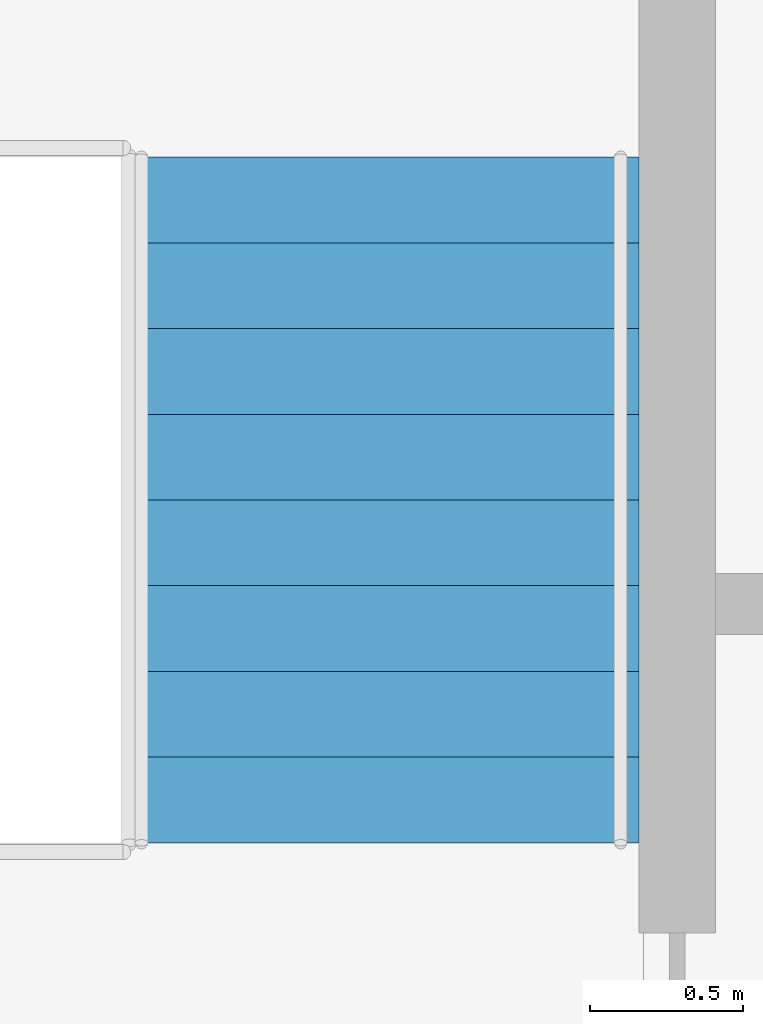
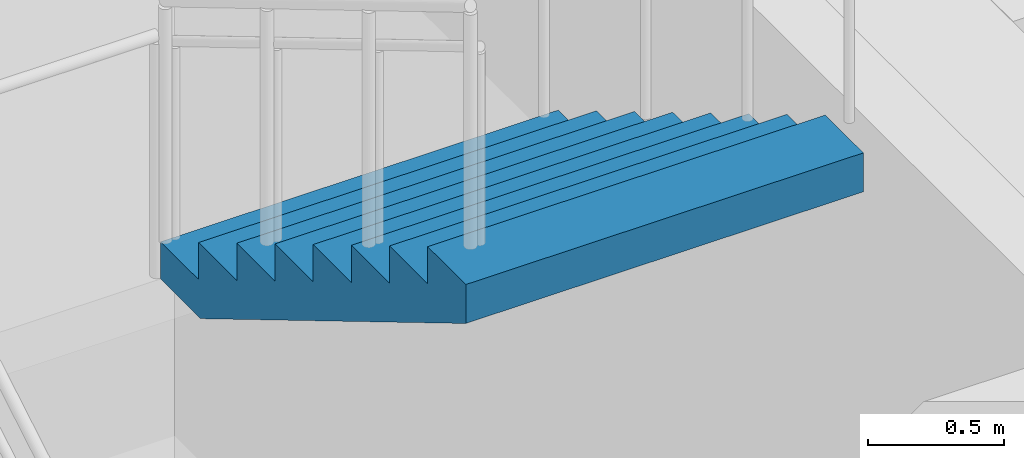
# One storey, part 38 of 57: 1 stair flight, 1 element without a shape of its own.
"""IFC4 building model written with IfcOpenShell, lengths in metres."""

from ifc_helpers import new_model, si_unit, direction, frame, origin, place, context, subcontext, project, spatial, triangles, material, type_object, element, aggregate, save


model = new_model("IFC4")

# Units and contexts
model_context = context("Model", 3, precision=1e-05, world=origin(), true_north=direction((0.0, 1.0)))
body_context = subcontext(model_context, "Body", "Model", "MODEL_VIEW")
ifc_project = project(units=[si_unit("LENGTHUNIT", "METRE"), si_unit("AREAUNIT", "SQUARE_METRE"), si_unit("VOLUMEUNIT", "CUBIC_METRE"), si_unit("PLANEANGLEUNIT", "RADIAN"), si_unit("MASSUNIT", "GRAM", prefix="KILO")], contexts=[model_context])

# Site, building, storey
site_placement = place(None, origin())
site = spatial("IfcSite", under=ifc_project, at=site_placement, CompositionType="ELEMENT")
building_placement = place(site_placement, origin())
building = spatial("IfcBuilding", under=site, at=building_placement, Name="Orbita Commons", CompositionType="ELEMENT")
storey_placement = place(building_placement, origin())
storey = spatial("IfcBuildingStorey", under=building, at=storey_placement, Name="L00", CompositionType="ELEMENT", Elevation=0.0)

# Stair, stair flight
ifc_material_1 = material(Name="Precast concrete C40/50", Category="concrete")
stair_type = type_object("IfcStairType", Name="Podium exit stair 4 flights 9 risers 167", PredefinedType="HALF_TURN_STAIR", material=ifc_material_1)
stair_placement = place(storey_placement, origin())
stair = element("IfcStair", 1, at=stair_placement, inside=storey, type_object=stair_type, Name="Podium exit stair PS2 L00", PredefinedType="HALF_TURN_STAIR")
ifc_material_2 = material(Name="Precast concrete C40/50", Category="concrete")
stair_flight_type = type_object("IfcStairFlightType", Name="Podium stair flight 9 risers 167 x 1685", PredefinedType="STRAIGHT", material=ifc_material_2)
stair_flight_placement = place(storey_placement, frame((76.4326171875, 32.06005859375, 4.5), z_axis=(0.0, 0.0, 1.0), x_axis=(0.0, -1.0, 0.0)))
stair_flight = element("IfcStairFlight", 2, at=stair_flight_placement, type_object=stair_flight_type, Name="PS2 flight 4", NumberOfRisers=9, NumberOfTreads=8, PredefinedType="STRAIGHT", RiserHeight=0.166666667, TreadLength=0.28, context=body_context, shape_type="Tessellation", body=[
    triangles([(0.0, 0.842529, 0.0), (0.0, 0.842529, 0.020833), (0.0, 0.702108, 0.020833), (0.0, 0.702108, 0.0), (0.0, 0.561686, 0.020833), (0.0, 0.561686, 0.0), (0.0, 0.421265, 0.020833), (0.0, 0.421265, 0.0), (0.0, 0.280843, 0.020833), (0.0, 0.280843, 0.0), (0.0, 0.140422, 0.020833), (0.0, 0.140422, 0.0), (0.0, 0.0, 0.020833), (0.0, 0.0, 0.0), (0.0, -0.140422, 0.020833), (0.0, -0.140422, 0.0), (0.0, -0.280843, 0.020833), (0.0, -0.280843, 0.0), (0.0, -0.421265, 0.020833), (0.0, -0.421265, 0.0), (0.0, -0.561686, 0.020833), (0.0, -0.561686, 0.0), (0.0, -0.702108, 0.020833), (0.0, -0.702108, 0.0), (0.0, -0.842529, 0.020833), (0.0, -0.842529, 0.0), (0.0, 0.842529, 0.041667), (0.0, 0.702108, 0.041667), (0.0, 0.561686, 0.041667), (0.0, 0.421265, 0.041667), (0.0, 0.280843, 0.041667), (0.0, 0.140422, 0.041667), (0.0, 0.0, 0.041667), (0.0, -0.140422, 0.041667), (0.0, -0.280843, 0.041667), (0.0, -0.421265, 0.041667), (0.0, -0.561686, 0.041667), (0.0, -0.702108, 0.041667), (0.0, -0.842529, 0.041667), (0.0, 0.842529, 0.0625), (0.0, 0.702108, 0.0625), (0.0, 0.561686, 0.0625), (0.0, 0.421265, 0.0625), (0.0, 0.280843, 0.0625), (0.0, 0.140422, 0.0625), (0.0, 0.0, 0.0625), (0.0, -0.140422, 0.0625), (0.0, -0.280843, 0.0625), (0.0, -0.421265, 0.0625), (0.0, -0.561686, 0.0625), (0.0, -0.702108, 0.0625), (0.0, -0.842529, 0.0625), (0.0, 0.842529, 0.083333), (0.0, 0.702108, 0.083333), (0.0, 0.561686, 0.083333), (0.0, 0.421265, 0.083333), (0.0, 0.280843, 0.083333), (0.0, 0.140422, 0.083333), (0.0, 0.0, 0.083333), (0.0, -0.140422, 0.083333), (0.0, -0.280843, 0.083333), (0.0, -0.421265, 0.083333), (0.0, -0.561686, 0.083333), (0.0, -0.702108, 0.083333), (0.0, -0.842529, 0.083333), (0.0, 0.842529, 0.104167), (0.0, 0.702108, 0.104167), (0.0, 0.561686, 0.104167), (0.0, 0.421265, 0.104167), (0.0, 0.280843, 0.104167), (0.0, 0.140422, 0.104167), (0.0, 0.0, 0.104167), (0.0, -0.140422, 0.104167), (0.0, -0.280843, 0.104167), (0.0, -0.421265, 0.104167), (0.0, -0.561686, 0.104167), (0.0, -0.702108, 0.104167), (0.0, -0.842529, 0.104167), (0.0, 0.842529, 0.125), (0.0, 0.702108, 0.125), (0.0, 0.561686, 0.125), (0.0, 0.421265, 0.125), (0.0, 0.280843, 0.125), (0.0, 0.140422, 0.125), (0.0, 0.0, 0.125), (0.0, -0.140422, 0.125), (0.0, -0.280843, 0.125), (0.0, -0.421265, 0.125), (0.0, -0.561686, 0.125), (0.0, -0.702108, 0.125), (0.0, -0.842529, 0.125), (0.0, 0.842529, 0.145833), (0.0, 0.702108, 0.145833), (0.0, 0.561686, 0.145833), (0.0, 0.421265, 0.145833), (0.0, 0.280843, 0.145833), (0.0, 0.140422, 0.145833), (0.0, 0.0, 0.145833), (0.0, -0.140422, 0.145833), (0.0, -0.280843, 0.145833), (0.0, -0.421265, 0.145833), (0.0, -0.561686, 0.145833), (0.0, -0.702108, 0.145833), (0.0, -0.842529, 0.145833), (0.0, 0.842529, 0.166667), (0.0, 0.702108, 0.166667), (0.0, 0.561686, 0.166667), (0.0, 0.421265, 0.166667), (0.0, 0.280843, 0.166667), (0.0, 0.140422, 0.166667), (0.0, 0.0, 0.166667), (0.0, -0.140422, 0.166667), (0.0, -0.280843, 0.166667), (0.0, -0.421265, 0.166667), (0.0, -0.561686, 0.166667), (0.0, -0.702108, 0.166667), (0.0, -0.842529, 0.166667), (0.28, 0.842529, 0.166667), (0.28, 0.702108, 0.166667), (0.28, 0.561686, 0.166667), (0.28, 0.421265, 0.166667), (0.28, 0.280843, 0.166667), (0.28, 0.140422, 0.166667), (0.28, 0.0, 0.166667), (0.28, -0.140422, 0.166667), (0.28, -0.280843, 0.166667), (0.28, -0.421265, 0.166667), (0.28, -0.561686, 0.166667), (0.28, -0.702108, 0.166667), (0.28, -0.842529, 0.166667), (0.28, 0.842529, 0.333333), (0.28, 0.702108, 0.333333), (0.28, 0.561686, 0.333333), (0.28, 0.421265, 0.333333), (0.28, 0.280843, 0.333333), (0.28, 0.140422, 0.333333), (0.28, 0.0, 0.333333), (0.28, -0.140422, 0.333333), (0.28, -0.280843, 0.333333), (0.28, -0.421265, 0.333333), (0.28, -0.561686, 0.333333), (0.28, -0.702108, 0.333333), (0.28, -0.842529, 0.333333), (0.56, 0.842529, 0.333333), (0.56, 0.702108, 0.333333), (0.56, 0.561686, 0.333333), (0.56, 0.421265, 0.333333), (0.56, 0.280843, 0.333333), (0.56, 0.140422, 0.333333), (0.56, 0.0, 0.333333), (0.56, -0.140422, 0.333333), (0.56, -0.280843, 0.333333), (0.56, -0.421265, 0.333333), (0.56, -0.561686, 0.333333), (0.56, -0.702108, 0.333333), (0.56, -0.842529, 0.333333), (0.56, 0.842529, 0.5), (0.56, 0.702108, 0.5), (0.56, 0.561686, 0.5), (0.56, 0.421265, 0.5), (0.56, 0.280843, 0.5), (0.56, 0.140422, 0.5), (0.56, 0.0, 0.5), (0.56, -0.140422, 0.5), (0.56, -0.280843, 0.5), (0.56, -0.421265, 0.5), (0.56, -0.561686, 0.5), (0.56, -0.702108, 0.5), (0.56, -0.842529, 0.5), (0.84, 0.842529, 0.5), (0.84, 0.702108, 0.5), (0.84, 0.561686, 0.5), (0.84, 0.421265, 0.5), (0.84, 0.280843, 0.5), (0.84, 0.140422, 0.5), (0.84, 0.0, 0.5), (0.84, -0.140422, 0.5), (0.84, -0.280843, 0.5), (0.84, -0.421265, 0.5), (0.84, -0.561686, 0.5), (0.84, -0.702108, 0.5), (0.84, -0.842529, 0.5), (0.84, 0.842529, 0.666667), (0.84, 0.702108, 0.666667), (0.84, 0.561686, 0.666667), (0.84, 0.421265, 0.666667), (0.84, 0.280843, 0.666667), (0.84, 0.140422, 0.666667), (0.84, 0.0, 0.666667), (0.84, -0.140422, 0.666667), (0.84, -0.280843, 0.666667), (0.84, -0.421265, 0.666667), (0.84, -0.561686, 0.666667), (0.84, -0.702108, 0.666667), (0.84, -0.842529, 0.666667), (1.12, 0.842529, 0.666667), (1.12, 0.702108, 0.666667), (1.12, 0.561686, 0.666667), (1.12, 0.421265, 0.666667), (1.12, 0.280843, 0.666667), (1.12, 0.140422, 0.666667), (1.12, 0.0, 0.666667), (1.12, -0.140422, 0.666667), (1.12, -0.280843, 0.666667), (1.12, -0.421265, 0.666667), (1.12, -0.561686, 0.666667), (1.12, -0.702108, 0.666667), (1.12, -0.842529, 0.666667), (1.12, 0.842529, 0.833333), (1.12, 0.702108, 0.833333), (1.12, 0.561686, 0.833333), (1.12, 0.421265, 0.833333), (1.12, 0.280843, 0.833333), (1.12, 0.140422, 0.833333), (1.12, 0.0, 0.833333), (1.12, -0.140422, 0.833333), (1.12, -0.280843, 0.833333), (1.12, -0.421265, 0.833333), (1.12, -0.561686, 0.833333), (1.12, -0.702108, 0.833333), (1.12, -0.842529, 0.833333), (1.4, 0.842529, 0.833333), (1.4, 0.702108, 0.833333), (1.4, 0.561686, 0.833333), (1.4, 0.421265, 0.833333), (1.4, 0.280843, 0.833333), (1.4, 0.140422, 0.833333), (1.4, 0.0, 0.833333), (1.4, -0.140422, 0.833333), (1.4, -0.280843, 0.833333), (1.4, -0.421265, 0.833333), (1.4, -0.561686, 0.833333), (1.4, -0.702108, 0.833333), (1.4, -0.842529, 0.833333), (1.4, 0.842529, 1.0), (1.4, 0.702108, 1.0), (1.4, 0.561686, 1.0), (1.4, 0.421265, 1.0), (1.4, 0.280843, 1.0), (1.4, 0.140422, 1.0), (1.4, 0.0, 1.0), (1.4, -0.140422, 1.0), (1.4, -0.280843, 1.0), (1.4, -0.421265, 1.0), (1.4, -0.561686, 1.0), (1.4, -0.702108, 1.0), (1.4, -0.842529, 1.0), (1.68, 0.842529, 1.0), (1.68, 0.702108, 1.0), (1.68, 0.561686, 1.0), (1.68, 0.421265, 1.0), (1.68, 0.280843, 1.0), (1.68, 0.140422, 1.0), (1.68, 0.0, 1.0), (1.68, -0.140422, 1.0), (1.68, -0.280843, 1.0), (1.68, -0.421265, 1.0), (1.68, -0.561686, 1.0), (1.68, -0.702108, 1.0), (1.68, -0.842529, 1.0), (1.68, 0.842529, 1.166667), (1.68, 0.702108, 1.166667), (1.68, 0.561686, 1.166667), (1.68, 0.421265, 1.166667), (1.68, 0.280843, 1.166667), (1.68, 0.140422, 1.166667), (1.68, 0.0, 1.166667), (1.68, -0.140422, 1.166667), (1.68, -0.280843, 1.166667), (1.68, -0.421265, 1.166667), (1.68, -0.561686, 1.166667), (1.68, -0.702108, 1.166667), (1.68, -0.842529, 1.166667), (1.96, 0.842529, 1.166667), (1.96, 0.702108, 1.166667), (1.96, 0.561686, 1.166667), (1.96, 0.421265, 1.166667), (1.96, 0.280843, 1.166667), (1.96, 0.140422, 1.166667), (1.96, 0.0, 1.166667), (1.96, -0.140422, 1.166667), (1.96, -0.280843, 1.166667), (1.96, -0.421265, 1.166667), (1.96, -0.561686, 1.166667), (1.96, -0.702108, 1.166667), (1.96, -0.842529, 1.166667), (1.96, 0.842529, 1.333333), (1.96, 0.702108, 1.333333), (1.96, 0.561686, 1.333333), (1.96, 0.421265, 1.333333), (1.96, 0.280843, 1.333333), (1.96, 0.140422, 1.333333), (1.96, 0.0, 1.333333), (1.96, -0.140422, 1.333333), (1.96, -0.280843, 1.333333), (1.96, -0.421265, 1.333333), (1.96, -0.561686, 1.333333), (1.96, -0.702108, 1.333333), (1.96, -0.842529, 1.333333), (2.24, 0.842529, 1.333333), (2.24, 0.702108, 1.333333), (2.24, 0.561686, 1.333333), (2.24, 0.421265, 1.333333), (2.24, 0.280843, 1.333333), (2.24, 0.140422, 1.333333), (2.24, 0.0, 1.333333), (2.24, -0.140422, 1.333333), (2.24, -0.280843, 1.333333), (2.24, -0.421265, 1.333333), (2.24, -0.561686, 1.333333), (2.24, -0.702108, 1.333333), (2.24, -0.842529, 1.333333), (2.24, 0.842529, 1.311527), (2.24, 0.702108, 1.311527), (2.24, 0.561686, 1.311527), (2.24, 0.421265, 1.311527), (2.24, 0.280843, 1.311527), (2.24, 0.140422, 1.311527), (2.24, 0.0, 1.311527), (2.24, -0.140422, 1.311527), (2.24, -0.280843, 1.311527), (2.24, -0.421265, 1.311527), (2.24, -0.561686, 1.311527), (2.24, -0.702108, 1.311527), (2.24, -0.842529, 1.311527), (2.24, 0.842529, 1.289721), (2.24, 0.702108, 1.289721), (2.24, 0.561686, 1.289721), (2.24, 0.421265, 1.289721), (2.24, 0.280843, 1.289721), (2.24, 0.140422, 1.289721), (2.24, 0.0, 1.289721), (2.24, -0.140422, 1.289721), (2.24, -0.280843, 1.289721), (2.24, -0.421265, 1.289721), (2.24, -0.561686, 1.289721), (2.24, -0.702108, 1.289721), (2.24, -0.842529, 1.289721), (2.24, 0.842529, 1.267915), (2.24, 0.702108, 1.267915), (2.24, 0.561686, 1.267915), (2.24, 0.421265, 1.267915), (2.24, 0.280843, 1.267915), (2.24, 0.140422, 1.267915), (2.24, 0.0, 1.267915), (2.24, -0.140422, 1.267915), (2.24, -0.280843, 1.267915), (2.24, -0.421265, 1.267915), (2.24, -0.561686, 1.267915), (2.24, -0.702108, 1.267915), (2.24, -0.842529, 1.267915), (2.24, 0.842529, 1.246109), (2.24, 0.702108, 1.246109), (2.24, 0.561686, 1.246109), (2.24, 0.421265, 1.246109), (2.24, 0.280843, 1.246109), (2.24, 0.140422, 1.246109), (2.24, 0.0, 1.246109), (2.24, -0.140422, 1.246109), (2.24, -0.280843, 1.246109), (2.24, -0.421265, 1.246109), (2.24, -0.561686, 1.246109), (2.24, -0.702108, 1.246109), (2.24, -0.842529, 1.246109), (2.24, 0.842529, 1.224303), (2.24, 0.702108, 1.224303), (2.24, 0.561686, 1.224303), (2.24, 0.421265, 1.224303), (2.24, 0.280843, 1.224303), (2.24, 0.140422, 1.224303), (2.24, 0.0, 1.224303), (2.24, -0.140422, 1.224303), (2.24, -0.280843, 1.224303), (2.24, -0.421265, 1.224303), (2.24, -0.561686, 1.224303), (2.24, -0.702108, 1.224303), (2.24, -0.842529, 1.224303), (2.24, 0.842529, 1.202497), (2.24, 0.702108, 1.202497), (2.24, 0.561686, 1.202497), (2.24, 0.421265, 1.202497), (2.24, 0.280843, 1.202497), (2.24, 0.140422, 1.202497), (2.24, 0.0, 1.202497), (2.24, -0.140422, 1.202497), (2.24, -0.280843, 1.202497), (2.24, -0.421265, 1.202497), (2.24, -0.561686, 1.202497), (2.24, -0.702108, 1.202497), (2.24, -0.842529, 1.202497), (2.24, 0.842529, 1.180691), (2.24, 0.702108, 1.180691), (2.24, 0.561686, 1.180691), (2.24, 0.421265, 1.180691), (2.24, 0.280843, 1.180691), (2.24, 0.140422, 1.180691), (2.24, 0.0, 1.180691), (2.24, -0.140422, 1.180691), (2.24, -0.280843, 1.180691), (2.24, -0.421265, 1.180691), (2.24, -0.561686, 1.180691), (2.24, -0.702108, 1.180691), (2.24, -0.842529, 1.180691), (2.24, 0.842529, 1.158885), (2.24, 0.702108, 1.158885), (2.24, 0.561686, 1.158885), (2.24, 0.421265, 1.158885), (2.24, 0.280843, 1.158885), (2.24, 0.140422, 1.158885), (2.24, 0.0, 1.158885), (2.24, -0.140422, 1.158885), (2.24, -0.280843, 1.158885), (2.24, -0.421265, 1.158885), (2.24, -0.561686, 1.158885), (2.24, -0.702108, 1.158885), (2.24, -0.842529, 1.158885), (0.293073, 0.842529, 0.0), (0.293073, 0.702108, 0.0), (0.293073, 0.561686, 0.0), (0.293073, 0.421265, 0.0), (0.293073, 0.280843, 0.0), (0.293073, 0.140422, 0.0), (0.293073, 0.0, 0.0), (0.293073, -0.140422, 0.0), (0.293073, -0.280843, 0.0), (0.293073, -0.421265, 0.0), (0.293073, -0.561686, 0.0), (0.293073, -0.702108, 0.0), (0.293073, -0.842529, 0.0)], [[3, 2, 1], [4, 3, 1], [5, 3, 4], [6, 5, 4], [7, 5, 6], [8, 7, 6], [9, 7, 8], [10, 9, 8], [11, 9, 10], [12, 11, 10], [13, 11, 12], [14, 13, 12], [15, 13, 14], [16, 15, 14], [17, 15, 16], [18, 17, 16], [19, 17, 18], [20, 19, 18], [21, 19, 20], [22, 21, 20], [23, 21, 22], [24, 23, 22], [25, 23, 24], [26, 25, 24], [28, 27, 2], [3, 28, 2], [29, 28, 3], [5, 29, 3], [30, 29, 5], [7, 30, 5], [31, 30, 7], [9, 31, 7], [32, 31, 9], [11, 32, 9], [33, 32, 11], [13, 33, 11], [34, 33, 13], [15, 34, 13], [35, 34, 15], [17, 35, 15], [36, 35, 17], [19, 36, 17], [37, 36, 19], [21, 37, 19], [38, 37, 21], [23, 38, 21], [39, 38, 23], [25, 39, 23], [41, 40, 27], [28, 41, 27], [42, 41, 28], [29, 42, 28], [43, 42, 29], [30, 43, 29], [44, 43, 30], [31, 44, 30], [45, 44, 31], [32, 45, 31], [46, 45, 32], [33, 46, 32], [47, 46, 33], [34, 47, 33], [48, 47, 34], [35, 48, 34], [49, 48, 35], [36, 49, 35], [50, 49, 36], [37, 50, 36], [51, 50, 37], [38, 51, 37], [52, 51, 38], [39, 52, 38], [54, 53, 40], [41, 54, 40], [55, 54, 41], [42, 55, 41], [56, 55, 42], [43, 56, 42], [57, 56, 43], [44, 57, 43], [58, 57, 44], [45, 58, 44], [59, 58, 45], [46, 59, 45], [60, 59, 46], [47, 60, 46], [61, 60, 47], [48, 61, 47], [62, 61, 48], [49, 62, 48], [63, 62, 49], [50, 63, 49], [64, 63, 50], [51, 64, 50], [65, 64, 51], [52, 65, 51], [67, 66, 53], [54, 67, 53], [68, 67, 54], [55, 68, 54], [69, 68, 55], [56, 69, 55], [70, 69, 56], [57, 70, 56], [71, 70, 57], [58, 71, 57], [72, 71, 58], [59, 72, 58], [73, 72, 59], [60, 73, 59], [74, 73, 60], [61, 74, 60], [75, 74, 61], [62, 75, 61], [76, 75, 62], [63, 76, 62], [77, 76, 63], [64, 77, 63], [78, 77, 64], [65, 78, 64], [80, 79, 66], [67, 80, 66], [81, 80, 67], [68, 81, 67], [82, 81, 68], [69, 82, 68], [83, 82, 69], [70, 83, 69], [84, 83, 70], [71, 84, 70], [85, 84, 71], [72, 85, 71], [86, 85, 72], [73, 86, 72], [87, 86, 73], [74, 87, 73], [88, 87, 74], [75, 88, 74], [89, 88, 75], [76, 89, 75], [90, 89, 76], [77, 90, 76], [91, 90, 77], [78, 91, 77], [93, 92, 79], [80, 93, 79], [94, 93, 80], [81, 94, 80], [95, 94, 81], [82, 95, 81], [96, 95, 82], [83, 96, 82], [97, 96, 83], [84, 97, 83], [98, 97, 84], [85, 98, 84], [99, 98, 85], [86, 99, 85], [100, 99, 86], [87, 100, 86], [101, 100, 87], [88, 101, 87], [102, 101, 88], [89, 102, 88], [103, 102, 89], [90, 103, 89], [104, 103, 90], [91, 104, 90], [106, 105, 92], [93, 106, 92], [107, 106, 93], [94, 107, 93], [108, 107, 94], [95, 108, 94], [109, 108, 95], [96, 109, 95], [110, 109, 96], [97, 110, 96], [111, 110, 97], [98, 111, 97], [112, 111, 98], [99, 112, 98], [113, 112, 99], [100, 113, 99], [114, 113, 100], [101, 114, 100], [115, 114, 101], [102, 115, 101], [116, 115, 102], [103, 116, 102], [117, 116, 103], [104, 117, 103], [119, 118, 105], [106, 119, 105], [120, 119, 106], [107, 120, 106], [121, 120, 107], [108, 121, 107], [122, 121, 108], [109, 122, 108], [123, 122, 109], [110, 123, 109], [124, 123, 110], [111, 124, 110], [125, 124, 111], [112, 125, 111], [126, 125, 112], [113, 126, 112], [127, 126, 113], [114, 127, 113], [128, 127, 114], [115, 128, 114], [129, 128, 115], [116, 129, 115], [130, 129, 116], [117, 130, 116], [132, 131, 118], [119, 132, 118], [133, 132, 119], [120, 133, 119], [134, 133, 120], [121, 134, 120], [135, 134, 121], [122, 135, 121], [136, 135, 122], [123, 136, 122], [137, 136, 123], [124, 137, 123], [138, 137, 124], [125, 138, 124], [139, 138, 125], [126, 139, 125], [140, 139, 126], [127, 140, 126], [141, 140, 127], [128, 141, 127], [142, 141, 128], [129, 142, 128], [143, 142, 129], [130, 143, 129], [145, 144, 131], [132, 145, 131], [146, 145, 132], [133, 146, 132], [147, 146, 133], [134, 147, 133], [148, 147, 134], [135, 148, 134], [149, 148, 135], [136, 149, 135], [150, 149, 136], [137, 150, 136], [151, 150, 137], [138, 151, 137], [152, 151, 138], [139, 152, 138], [153, 152, 139], [140, 153, 139], [154, 153, 140], [141, 154, 140], [155, 154, 141], [142, 155, 141], [156, 155, 142], [143, 156, 142], [158, 157, 144], [145, 158, 144], [159, 158, 145], [146, 159, 145], [160, 159, 146], [147, 160, 146], [161, 160, 147], [148, 161, 147], [162, 161, 148], [149, 162, 148], [163, 162, 149], [150, 163, 149], [164, 163, 150], [151, 164, 150], [165, 164, 151], [152, 165, 151], [166, 165, 152], [153, 166, 152], [167, 166, 153], [154, 167, 153], [168, 167, 154], [155, 168, 154], [169, 168, 155], [156, 169, 155], [171, 170, 157], [158, 171, 157], [172, 171, 158], [159, 172, 158], [173, 172, 159], [160, 173, 159], [174, 173, 160], [161, 174, 160], [175, 174, 161], [162, 175, 161], [176, 175, 162], [163, 176, 162], [177, 176, 163], [164, 177, 163], [178, 177, 164], [165, 178, 164], [179, 178, 165], [166, 179, 165], [180, 179, 166], [167, 180, 166], [181, 180, 167], [168, 181, 167], [182, 181, 168], [169, 182, 168], [184, 183, 170], [171, 184, 170], [185, 184, 171], [172, 185, 171], [186, 185, 172], [173, 186, 172], [187, 186, 173], [174, 187, 173], [188, 187, 174], [175, 188, 174], [189, 188, 175], [176, 189, 175], [190, 189, 176], [177, 190, 176], [191, 190, 177], [178, 191, 177], [192, 191, 178], [179, 192, 178], [193, 192, 179], [180, 193, 179], [194, 193, 180], [181, 194, 180], [195, 194, 181], [182, 195, 181], [197, 196, 183], [184, 197, 183], [198, 197, 184], [185, 198, 184], [199, 198, 185], [186, 199, 185], [200, 199, 186], [187, 200, 186], [201, 200, 187], [188, 201, 187], [202, 201, 188], [189, 202, 188], [203, 202, 189], [190, 203, 189], [204, 203, 190], [191, 204, 190], [205, 204, 191], [192, 205, 191], [206, 205, 192], [193, 206, 192], [207, 206, 193], [194, 207, 193], [208, 207, 194], [195, 208, 194], [210, 209, 196], [197, 210, 196], [211, 210, 197], [198, 211, 197], [212, 211, 198], [199, 212, 198], [213, 212, 199], [200, 213, 199], [214, 213, 200], [201, 214, 200], [215, 214, 201], [202, 215, 201], [216, 215, 202], [203, 216, 202], [217, 216, 203], [204, 217, 203], [218, 217, 204], [205, 218, 204], [219, 218, 205], [206, 219, 205], [220, 219, 206], [207, 220, 206], [221, 220, 207], [208, 221, 207], [223, 222, 209], [210, 223, 209], [224, 223, 210], [211, 224, 210], [225, 224, 211], [212, 225, 211], [226, 225, 212], [213, 226, 212], [227, 226, 213], [214, 227, 213], [228, 227, 214], [215, 228, 214], [229, 228, 215], [216, 229, 215], [230, 229, 216], [217, 230, 216], [231, 230, 217], [218, 231, 217], [232, 231, 218], [219, 232, 218], [233, 232, 219], [220, 233, 219], [234, 233, 220], [221, 234, 220], [236, 235, 222], [223, 236, 222], [237, 236, 223], [224, 237, 223], [238, 237, 224], [225, 238, 224], [239, 238, 225], [226, 239, 225], [240, 239, 226], [227, 240, 226], [241, 240, 227], [228, 241, 227], [242, 241, 228], [229, 242, 228], [243, 242, 229], [230, 243, 229], [244, 243, 230], [231, 244, 230], [245, 244, 231], [232, 245, 231], [246, 245, 232], [233, 246, 232], [247, 246, 233], [234, 247, 233], [249, 248, 235], [236, 249, 235], [250, 249, 236], [237, 250, 236], [251, 250, 237], [238, 251, 237], [252, 251, 238], [239, 252, 238], [253, 252, 239], [240, 253, 239], [254, 253, 240], [241, 254, 240], [255, 254, 241], [242, 255, 241], [256, 255, 242], [243, 256, 242], [257, 256, 243], [244, 257, 243], [258, 257, 244], [245, 258, 244], [259, 258, 245], [246, 259, 245], [260, 259, 246], [247, 260, 246], [262, 261, 248], [249, 262, 248], [263, 262, 249], [250, 263, 249], [264, 263, 250], [251, 264, 250], [265, 264, 251], [252, 265, 251], [266, 265, 252], [253, 266, 252], [267, 266, 253], [254, 267, 253], [268, 267, 254], [255, 268, 254], [269, 268, 255], [256, 269, 255], [270, 269, 256], [257, 270, 256], [271, 270, 257], [258, 271, 257], [272, 271, 258], [259, 272, 258], [273, 272, 259], [260, 273, 259], [275, 274, 261], [262, 275, 261], [276, 275, 262], [263, 276, 262], [277, 276, 263], [264, 277, 263], [278, 277, 264], [265, 278, 264], [279, 278, 265], [266, 279, 265], [280, 279, 266], [267, 280, 266], [281, 280, 267], [268, 281, 267], [282, 281, 268], [269, 282, 268], [283, 282, 269], [270, 283, 269], [284, 283, 270], [271, 284, 270], [285, 284, 271], [272, 285, 271], [286, 285, 272], [273, 286, 272], [288, 287, 274], [275, 288, 274], [289, 288, 275], [276, 289, 275], [290, 289, 276], [277, 290, 276], [291, 290, 277], [278, 291, 277], [292, 291, 278], [279, 292, 278], [293, 292, 279], [280, 293, 279], [294, 293, 280], [281, 294, 280], [295, 294, 281], [282, 295, 281], [296, 295, 282], [283, 296, 282], [297, 296, 283], [284, 297, 283], [298, 297, 284], [285, 298, 284], [299, 298, 285], [286, 299, 285], [301, 300, 287], [288, 301, 287], [302, 301, 288], [289, 302, 288], [303, 302, 289], [290, 303, 289], [304, 303, 290], [291, 304, 290], [305, 304, 291], [292, 305, 291], [306, 305, 292], [293, 306, 292], [307, 306, 293], [294, 307, 293], [308, 307, 294], [295, 308, 294], [309, 308, 295], [296, 309, 295], [310, 309, 296], [297, 310, 296], [311, 310, 297], [298, 311, 297], [312, 311, 298], [299, 312, 298], [314, 313, 300], [301, 314, 300], [315, 314, 301], [302, 315, 301], [316, 315, 302], [303, 316, 302], [317, 316, 303], [304, 317, 303], [318, 317, 304], [305, 318, 304], [319, 318, 305], [306, 319, 305], [320, 319, 306], [307, 320, 306], [321, 320, 307], [308, 321, 307], [322, 321, 308], [309, 322, 308], [323, 322, 309], [310, 323, 309], [324, 323, 310], [311, 324, 310], [325, 324, 311], [312, 325, 311], [327, 326, 313], [314, 327, 313], [328, 327, 314], [315, 328, 314], [329, 328, 315], [316, 329, 315], [330, 329, 316], [317, 330, 316], [331, 330, 317], [318, 331, 317], [332, 331, 318], [319, 332, 318], [333, 332, 319], [320, 333, 319], [334, 333, 320], [321, 334, 320], [335, 334, 321], [322, 335, 321], [336, 335, 322], [323, 336, 322], [337, 336, 323], [324, 337, 323], [338, 337, 324], [325, 338, 324], [340, 339, 326], [327, 340, 326], [341, 340, 327], [328, 341, 327], [342, 341, 328], [329, 342, 328], [343, 342, 329], [330, 343, 329], [344, 343, 330], [331, 344, 330], [345, 344, 331], [332, 345, 331], [346, 345, 332], [333, 346, 332], [347, 346, 333], [334, 347, 333], [348, 347, 334], [335, 348, 334], [349, 348, 335], [336, 349, 335], [350, 349, 336], [337, 350, 336], [351, 350, 337], [338, 351, 337], [353, 352, 339], [340, 353, 339], [354, 353, 340], [341, 354, 340], [355, 354, 341], [342, 355, 341], [356, 355, 342], [343, 356, 342], [357, 356, 343], [344, 357, 343], [358, 357, 344], [345, 358, 344], [359, 358, 345], [346, 359, 345], [360, 359, 346], [347, 360, 346], [361, 360, 347], [348, 361, 347], [362, 361, 348], [349, 362, 348], [363, 362, 349], [350, 363, 349], [364, 363, 350], [351, 364, 350], [366, 365, 352], [353, 366, 352], [367, 366, 353], [354, 367, 353], [368, 367, 354], [355, 368, 354], [369, 368, 355], [356, 369, 355], [370, 369, 356], [357, 370, 356], [371, 370, 357], [358, 371, 357], [372, 371, 358], [359, 372, 358], [373, 372, 359], [360, 373, 359], [374, 373, 360], [361, 374, 360], [375, 374, 361], [362, 375, 361], [376, 375, 362], [363, 376, 362], [377, 376, 363], [364, 377, 363], [379, 378, 365], [366, 379, 365], [380, 379, 366], [367, 380, 366], [381, 380, 367], [368, 381, 367], [382, 381, 368], [369, 382, 368], [383, 382, 369], [370, 383, 369], [384, 383, 370], [371, 384, 370], [385, 384, 371], [372, 385, 371], [386, 385, 372], [373, 386, 372], [387, 386, 373], [374, 387, 373], [388, 387, 374], [375, 388, 374], [389, 388, 375], [376, 389, 375], [390, 389, 376], [377, 390, 376], [392, 391, 378], [379, 392, 378], [393, 392, 379], [380, 393, 379], [394, 393, 380], [381, 394, 380], [395, 394, 381], [382, 395, 381], [396, 395, 382], [383, 396, 382], [397, 396, 383], [384, 397, 383], [398, 397, 384], [385, 398, 384], [399, 398, 385], [386, 399, 385], [400, 399, 386], [387, 400, 386], [401, 400, 387], [388, 401, 387], [402, 401, 388], [389, 402, 388], [403, 402, 389], [390, 403, 389], [405, 404, 391], [392, 405, 391], [406, 405, 392], [393, 406, 392], [407, 406, 393], [394, 407, 393], [408, 407, 394], [395, 408, 394], [409, 408, 395], [396, 409, 395], [410, 409, 396], [397, 410, 396], [411, 410, 397], [398, 411, 397], [412, 411, 398], [399, 412, 398], [413, 412, 399], [400, 413, 399], [414, 413, 400], [401, 414, 400], [415, 414, 401], [402, 415, 401], [416, 415, 402], [403, 416, 402], [418, 417, 404], [405, 418, 404], [419, 418, 405], [406, 419, 405], [420, 419, 406], [407, 420, 406], [421, 420, 407], [408, 421, 407], [422, 421, 408], [409, 422, 408], [423, 422, 409], [410, 423, 409], [424, 423, 410], [411, 424, 410], [425, 424, 411], [412, 425, 411], [426, 425, 412], [413, 426, 412], [427, 426, 413], [414, 427, 413], [428, 427, 414], [415, 428, 414], [429, 428, 415], [416, 429, 415], [4, 1, 417], [418, 4, 417], [6, 4, 418], [419, 6, 418], [8, 6, 419], [420, 8, 419], [10, 8, 420], [421, 10, 420], [12, 10, 421], [422, 12, 421], [14, 12, 422], [423, 14, 422], [16, 14, 423], [424, 16, 423], [18, 16, 424], [425, 18, 424], [20, 18, 425], [426, 20, 425], [22, 20, 426], [427, 22, 426], [24, 22, 427], [428, 24, 427], [26, 24, 428], [429, 26, 428], [404, 417, 1], [26, 429, 416], [391, 404, 1], [26, 416, 403], [378, 391, 1], [26, 403, 390], [365, 378, 1], [26, 390, 377], [352, 365, 1], [26, 377, 364], [339, 352, 1], [26, 364, 351], [326, 339, 1], [26, 351, 338], [313, 326, 1], [26, 338, 325], [287, 300, 313], [325, 312, 299], [274, 287, 313], [325, 299, 286], [248, 261, 274], [286, 273, 260], [248, 274, 313], [325, 286, 260], [222, 235, 248], [260, 247, 234], [222, 248, 313], [325, 260, 234], [196, 209, 222], [234, 221, 208], [196, 222, 313], [325, 234, 208], [170, 183, 196], [208, 195, 182], [170, 196, 313], [325, 208, 182], [144, 157, 170], [182, 169, 156], [144, 170, 313], [325, 182, 156], [118, 131, 144], [156, 143, 130], [118, 144, 313], [325, 156, 130], [118, 313, 1], [26, 325, 130], [92, 105, 118], [130, 117, 104], [79, 92, 118], [130, 104, 91], [66, 79, 118], [130, 91, 78], [53, 66, 118], [130, 78, 65], [40, 53, 118], [130, 65, 52], [27, 40, 118], [130, 52, 39], [2, 27, 118], [130, 39, 25], [1, 2, 118], [130, 25, 26]], closed=True),
])
aggregate(stair, [stair_flight])

save(model, "model.ifc")
